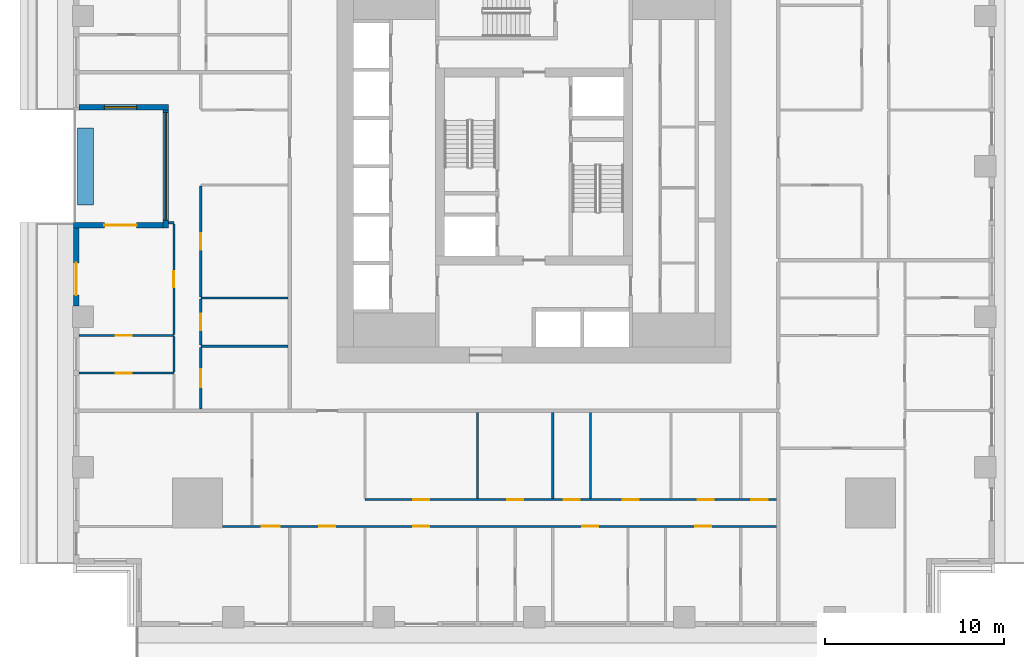
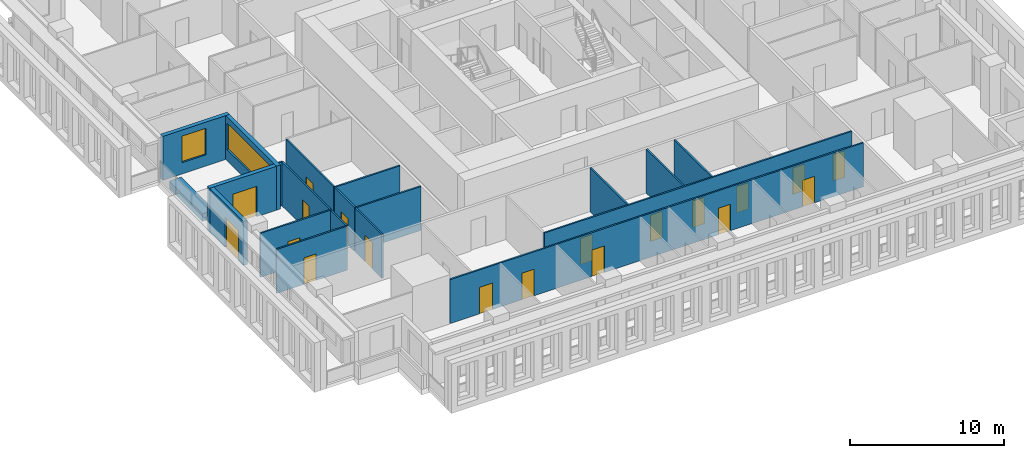
# One storey, part 3 of 16: 20 walls, 19 doors, 2 windows, 21 openings.
"""IFC4 building model written with IfcOpenShell, lengths in metres."""

import ifcopenshell
import ifcopenshell.guid

model = None  # the IFC model being written
_history = None  # IfcOwnerHistory: only IFC2X3 demands one
_inside = {}  # id of a spatial element -> (the spatial element, [elements in it])
_under = {}  # id of a project, library or spatial element -> (it, [spatial elements below it])
_declared = {}  # id of a project -> (the project, [libraries it declares])
_typed = {}  # id of a type object -> (the type object, [elements of that type])
_made_of = {}  # id of a material, layer set ... -> (it, [elements and type objects made of it])


def new_model(schema):
    """Start an empty IFC model of exactly this schema.

    Asked for "IFC4X3", IfcOpenShell would pick the latest addendum, in which some entities
    have other attributes; the version numbers below select the first issue.
    IFC2X3 requires an IfcOwnerHistory on every rooted entity: one is made here for all.
    """
    global model, _history
    if schema == "IFC4X3":
        model = ifcopenshell.file(schema_version=(4, 3, 0, 0))
    else:
        model = ifcopenshell.file(schema=schema)
    _inside.clear()
    _under.clear()
    _declared.clear()
    _typed.clear()
    _made_of.clear()
    _history = None
    if model.schema == "IFC2X3":
        org = make("IfcOrganization", Name="unknown")
        user = make(
            "IfcPersonAndOrganization",
            ThePerson=make("IfcPerson", FamilyName="unknown"),
            TheOrganization=org,
        )
        app = make(
            "IfcApplication",
            ApplicationDeveloper=org,
            Version="unknown",
            ApplicationFullName="unknown",
            ApplicationIdentifier="unknown",
        )
        _history = make(
            "IfcOwnerHistory",
            OwningUser=user,
            OwningApplication=app,
            ChangeAction="ADDED",
            CreationDate=0,
        )
    return model


def make(cls, **values):
    """One entity of the class cls with the attributes given. An attribute that is None is left unset."""
    return model.create_entity(
        cls, **{name: value for name, value in values.items() if value is not None}
    )


def rooted(cls, **values):
    """An entity with a GlobalId (a new one), such as an element, a storey or a relation."""
    return make(cls, GlobalId=ifcopenshell.guid.new(), OwnerHistory=_history, **values)


def si_unit(unit_type, name, prefix=None):
    """IfcSIUnit, for example si_unit("LENGTHUNIT", "METRE", prefix="MILLI")."""
    return make("IfcSIUnit", UnitType=unit_type, Prefix=prefix, Name=name)


def assignment(units):
    """IfcUnitAssignment: the units of a project."""
    return None if units is None else make("IfcUnitAssignment", Units=units)


def point(xyz):
    """IfcCartesianPoint."""
    return None if xyz is None else make("IfcCartesianPoint", Coordinates=xyz)


def direction(xyz):
    """IfcDirection."""
    return None if xyz is None else make("IfcDirection", DirectionRatios=xyz)


def frame(location, z_axis=None, x_axis=None):
    """IfcAxis2Placement3D, a coordinate frame: its origin and axes. An axis left out is left unset."""
    return make(
        "IfcAxis2Placement3D",
        Location=point(location),
        Axis=direction(z_axis),
        RefDirection=direction(x_axis),
    )


def frame_2d(location, x_axis=None):
    """IfcAxis2Placement2D, a coordinate frame in the plane: its origin and x axis."""
    return make(
        "IfcAxis2Placement2D", Location=point(location), RefDirection=direction(x_axis)
    )


def origin():
    """The frame at (0, 0, 0) with its axes left unset."""
    return frame((0.0, 0.0, 0.0))


def place(relative_to, where):
    """IfcLocalPlacement: puts the frame where relative to a parent placement (None: the world)."""
    return make(
        "IfcLocalPlacement", PlacementRelTo=relative_to, RelativePlacement=where
    )


def context(
    kind, dimensions, precision=None, world=None, true_north=None, identifier=None
):
    """IfcGeometricRepresentationContext, for example the 3D "Model" context."""
    return make(
        "IfcGeometricRepresentationContext",
        ContextIdentifier=identifier,
        ContextType=kind,
        CoordinateSpaceDimension=dimensions,
        Precision=precision,
        WorldCoordinateSystem=world,
        TrueNorth=true_north,
    )


def subcontext(parent, identifier, kind, view, scale=None):
    """IfcGeometricRepresentationSubContext, for example "Body" below "Model"."""
    return make(
        "IfcGeometricRepresentationSubContext",
        ContextIdentifier=identifier,
        ContextType=kind,
        ParentContext=parent,
        TargetScale=scale,
        TargetView=view,
    )


def project(units=None, contexts=None):
    """IfcProject with its units and contexts."""
    return rooted(
        "IfcProject",
        Name="project",
        RepresentationContexts=contexts,
        UnitsInContext=assignment(units),
    )


def spatial(cls, under=None, at=None, **own):
    """A site, building, storey or space (cls), placed at a placement, below another one or the project."""
    s = rooted(cls, ObjectPlacement=at, **own)
    if under is not None:
        _under.setdefault(under.id(), (under, []))[1].append(s)
    return s


def profile(cls, at=None, kind="AREA", **sizes):
    """A parametric profile (cls). Its sizes go by their IFC names, for example OverallWidth=200.0."""
    return make(cls, ProfileType=kind, Position=at, **sizes)


def rectangle(**sizes):
    """IfcRectangleProfileDef."""
    return profile("IfcRectangleProfileDef", **sizes)


def extrude(swept, where, along, depth):
    """IfcExtrudedAreaSolid: the profile swept, set in the frame where, extruded along a direction by depth."""
    return make(
        "IfcExtrudedAreaSolid",
        SweptArea=swept,
        Position=where,
        ExtrudedDirection=direction(along),
        Depth=depth,
    )


def shape(context_of_items, identifier, shape_type, items):
    """IfcShapeRepresentation: the items that make up one representation, for example the "Body"."""
    return make(
        "IfcShapeRepresentation",
        ContextOfItems=context_of_items,
        RepresentationIdentifier=identifier,
        RepresentationType=shape_type,
        Items=items,
    )


def material(Name=None, Category=None):
    """IfcMaterial."""
    return make("IfcMaterial", Name=Name, Category=Category)


def layer(
    of_material, thickness, ventilated=None, Name=None, Category=None, Priority=None
):
    """IfcMaterialLayer: one layer of a wall or slab, of a material (None: an air gap)."""
    return make(
        "IfcMaterialLayer",
        Material=of_material,
        LayerThickness=thickness,
        IsVentilated=ventilated,
        Name=Name,
        Category=Category,
        Priority=Priority,
    )


def layer_set(layers, Name=None):
    """IfcMaterialLayerSet."""
    return make("IfcMaterialLayerSet", MaterialLayers=layers, LayerSetName=Name)


def made_of(thing, what):
    """Note that an element or type object is made of a material, layer set ...; save() writes the relation."""
    if what is not None:
        _made_of.setdefault(what.id(), (what, []))[1].append(thing)
    return thing


def type_object(cls, material=None, **own):
    """A type object (cls), such as IfcWallType, which elements share."""
    return made_of(rooted(cls, **own), material)


def element(
    cls,
    number,
    at=None,
    inside=None,
    cuts=None,
    type_object=None,
    material=None,
    context=None,
    identifier="Body",
    shape_type=None,
    held_by="IfcProductDefinitionShape",
    body=None,
    shapes=None,
    **own,
):
    """One element of the class cls, such as IfcWall. Its Tag is "e" and its number.

    at: its placement. inside: the storey or other place that contains it. cuts: it is an
    opening in that element (IfcRelVoidsElement). A single representation is given by context,
    identifier, shape_type and body (its items); several are given by shapes. held_by: the class
    of the entity that holds the representations. save() writes the other relations.
    """
    e = rooted(cls, Tag="e%d" % number, ObjectPlacement=at, **own)
    if body is not None:
        shapes = [shape(context, identifier, shape_type, body)]
    if shapes is not None:
        e.Representation = make(held_by, Representations=shapes)
    if inside is not None:
        _inside.setdefault(inside.id(), (inside, []))[1].append(e)
    if cuts is not None:
        rooted(
            "IfcRelVoidsElement", RelatingBuildingElement=cuts, RelatedOpeningElement=e
        )
    if type_object is not None:
        _typed.setdefault(type_object.id(), (type_object, []))[1].append(e)
    return made_of(e, material)


def fill(opening, filler):
    """IfcRelFillsElement: the door or window that sits in an opening."""
    return rooted(
        "IfcRelFillsElement",
        RelatingOpeningElement=opening,
        RelatedBuildingElement=filler,
    )


def aggregate(whole, parts):
    """IfcRelAggregates: a whole, such as a stair, and the parts it consists of."""
    return rooted("IfcRelAggregates", RelatingObject=whole, RelatedObjects=parts)


def save(model, path):
    """Write the relations noted so far, then the file.

    IfcRelAggregates (storeys below a building ...), IfcRelContainedInSpatialStructure (elements
    in a storey), IfcRelDefinesByType, IfcRelAssociatesMaterial and IfcRelDeclares: one each for
    every whole, place, type object, material and project.
    """
    for whole, parts in _under.values():
        aggregate(whole, parts)
    for where, things in _inside.values():
        rooted(
            "IfcRelContainedInSpatialStructure",
            RelatedElements=things,
            RelatingStructure=where,
        )
    for kind, things in _typed.values():
        rooted("IfcRelDefinesByType", RelatedObjects=things, RelatingType=kind)
    for what, things in _made_of.values():
        rooted("IfcRelAssociatesMaterial", RelatedObjects=things, RelatingMaterial=what)
    for by, libraries in _declared.values():
        rooted("IfcRelDeclares", RelatingContext=by, RelatedDefinitions=libraries)
    model.write(path)


model = new_model("IFC4")

# Units and contexts
model_context = context("Model", 3, precision=1e-05, world=origin(), true_north=direction((0.0, 1.0)))
body_context = subcontext(model_context, "Body", "Model", "MODEL_VIEW")
ifc_project = project(units=[si_unit("LENGTHUNIT", "METRE"), si_unit("AREAUNIT", "SQUARE_METRE"), si_unit("VOLUMEUNIT", "CUBIC_METRE"), si_unit("PLANEANGLEUNIT", "RADIAN"), si_unit("MASSUNIT", "GRAM", prefix="KILO")], contexts=[model_context])

# Site, building, storey
site_placement = place(None, origin())
site = spatial("IfcSite", under=ifc_project, at=site_placement, CompositionType="ELEMENT")
building_placement = place(site_placement, origin())
building = spatial("IfcBuilding", under=site, at=building_placement, Name="Khepri Terraces", CompositionType="ELEMENT")
storey_placement = place(building_placement, frame((0.0, 0.0, 79.199951171875)))
storey = spatial("IfcBuildingStorey", under=building, at=storey_placement, Name="L18", CompositionType="ELEMENT", Elevation=79.199951171875)

# Wall, opening, window
ifc_material_1 = material(Name="Precast concrete C50/60 warm stone", Category="masonry")
ifc_layer_1 = layer(ifc_material_1, 0.300048828125, Name="Precast concrete C50/60 warm stone", Category="masonry")
ifc_layer_set_1 = layer_set([ifc_layer_1], Name="Precast concrete C50/60 warm stone")
wall_type_1 = type_object("IfcWallType", Name="WL-EXT-PRECAST-300", PredefinedType="STANDARD", material=ifc_layer_set_1)
wall_1_placement = place(storey_placement, frame((-25.419921875, 3.300048828125, 0.0), z_axis=(0.0, 0.0, 1.0), x_axis=(1.0, 0.0, 0.0)))
wall_1 = element("IfcWall", 1, at=wall_1_placement, inside=storey, type_object=wall_type_1, Name="External wall L18 S", PredefinedType="STANDARD", context=body_context, shape_type="SweptSolid", body=[
    extrude(rectangle(XDim=5.0, YDim=0.300048828125, at=frame_2d((2.5, 0.0))), origin(), (0.0, 0.0, 1.0), 3.47998046875),
])
opening_1_placement = place(wall_1_placement, frame((1.419921875, 0.0, 0.89990234375)))
opening_1 = element("IfcOpeningElement", 2, at=opening_1_placement, cuts=wall_1, Name="Opening W1", PredefinedType="OPENING", context=body_context, shape_type="SweptSolid", body=[
    extrude(rectangle(XDim=1.800048828125, YDim=2.10009765625, at=frame_2d((0.89990234375, 1.050048828125))), frame((0.0, 0.16015625, 0.0), z_axis=(0.0, -1.0, 0.0), x_axis=(1.0, 0.0, 0.0)), (0.0, 0.0, 1.0), 0.320068359375),
])
ifc_material_2 = material(Name="Clear glass", Category="glass")
window_type_1 = type_object("IfcWindowType", Name="WIN-RES-1800x2100", PartitioningType="SINGLE_PANEL", PredefinedType="WINDOW", material=ifc_material_2)
window_1_placement = place(opening_1_placement, origin())
window_1 = element("IfcWindow", 3, at=window_1_placement, inside=storey, type_object=window_type_1, Name="Window L18 S", OverallHeight=2.10009765625, OverallWidth=1.800048828125, PartitioningType="SINGLE_PANEL", PredefinedType="WINDOW", context=body_context, shape_type="SweptSolid", body=[
    extrude(rectangle(XDim=1.800048828125, YDim=2.10009765625, at=frame_2d((0.89990234375, 1.050048828125))), frame((0.0, 0.030029296875, 0.0), z_axis=(0.0, -1.0, 0.0), x_axis=(1.0, 0.0, 0.0)), (0.0, 0.0, 1.0), 0.06005859375),
])
fill(opening_1, window_1)

wall_2_placement = place(storey_placement, frame((-20.570068359375, 3.14990234375, 0.0), z_axis=(0.0, 0.0, 1.0), x_axis=(0.0, -1.0, 0.0)))
wall_2 = element("IfcWall", 4, at=wall_2_placement, inside=storey, type_object=wall_type_1, Name="External wall L18 W", PredefinedType="STANDARD", context=body_context, shape_type="SweptSolid", body=[
    extrude(rectangle(XDim=6.599853515625, YDim=0.300048828125, at=frame_2d((3.2998046875, 0.0))), origin(), (0.0, 0.0, 1.0), 3.47998046875),
])
opening_2_placement = place(wall_2_placement, frame((0.14990234375, 0.0, 0.89990234375)))
opening_2 = element("IfcOpeningElement", 5, at=opening_2_placement, cuts=wall_2, Name="Opening W3", PredefinedType="OPENING", context=body_context, shape_type="SweptSolid", body=[
    extrude(rectangle(XDim=6.0, YDim=2.10009765625, at=frame_2d((3.0, 1.050048828125))), frame((0.0, 0.16015625, 0.0), z_axis=(0.0, -1.0, 0.0), x_axis=(1.0, 0.0, 0.0)), (0.0, 0.0, 1.0), 0.320068359375),
])
window_type_2 = type_object("IfcWindowType", Name="WIN-RES-6000x2100", PartitioningType="SINGLE_PANEL", PredefinedType="WINDOW", material=ifc_material_2)
window_2_placement = place(opening_2_placement, origin())
window_2 = element("IfcWindow", 6, at=window_2_placement, inside=storey, type_object=window_type_2, Name="Window L18 W", OverallHeight=2.10009765625, OverallWidth=6.0, PartitioningType="SINGLE_PANEL", PredefinedType="WINDOW", context=body_context, shape_type="SweptSolid", body=[
    extrude(rectangle(XDim=6.0, YDim=2.10009765625, at=frame_2d((3.0, 1.050048828125))), frame((0.0, 0.030029296875, 0.0), z_axis=(0.0, -1.0, 0.0), x_axis=(1.0, 0.0, 0.0)), (0.0, 0.0, 1.0), 0.06005859375),
])
fill(opening_2, window_2)

# Wall, opening, door
wall_3_placement = place(storey_placement, frame((-20.719970703125, -3.300048828125, 0.0), z_axis=(0.0, 0.0, 1.0), x_axis=(-1.0, 0.0, 0.0)))
wall_3 = element("IfcWall", 7, at=wall_3_placement, inside=storey, type_object=wall_type_1, Name="External wall L18 N", PredefinedType="STANDARD", context=body_context, shape_type="SweptSolid", body=[
    extrude(rectangle(XDim=5.0, YDim=0.300048828125, at=frame_2d((2.5, 0.0))), origin(), (0.0, 0.0, 1.0), 3.47998046875),
])
opening_3_placement = place(wall_3_placement, frame((1.47998046875, 0.0, 0.0)))
opening_3 = element("IfcOpeningElement", 8, at=opening_3_placement, cuts=wall_3, Name="Opening ED-L18-17", PredefinedType="OPENING", context=body_context, shape_type="SweptSolid", body=[
    extrude(rectangle(XDim=1.800048828125, YDim=2.39990234375, at=frame_2d((0.89990234375, 1.199951171875))), frame((0.0, 0.16015625, 0.0), z_axis=(0.0, -1.0, 0.0), x_axis=(1.0, 0.0, 0.0)), (0.0, 0.0, 1.0), 0.320068359375),
])
ifc_material_3 = material(Name="Anodised aluminium bronze glazed door", Category="aluminium")
door_type_1 = type_object("IfcDoorType", Name="DR-BAL-SLIDE-1800x2400", OperationType="NOTDEFINED", PredefinedType="DOOR", material=ifc_material_3)
door_1_placement = place(opening_3_placement, origin())
door_1 = element("IfcDoor", 9, at=door_1_placement, inside=storey, type_object=door_type_1, Name="Balcony door L18 N", OperationType="SLIDING_TO_RIGHT", OverallHeight=2.39990234375, OverallWidth=1.800048828125, PredefinedType="DOOR", context=body_context, shape_type="SweptSolid", body=[
    extrude(rectangle(XDim=1.800048828125, YDim=2.39990234375, at=frame_2d((0.89990234375, 1.199951171875))), frame((0.0, 0.02490234375, 0.0), z_axis=(0.0, -1.0, 0.0), x_axis=(1.0, 0.0, 0.0)), (0.0, 0.0, 1.0), 0.050048828125),
])
fill(opening_3, door_1)

wall_4_placement = place(storey_placement, frame((-25.570068359375, -3.449951171875, 0.0), z_axis=(0.0, 0.0, 1.0), x_axis=(0.0, -1.0, 0.0)))
wall_4 = element("IfcWall", 10, at=wall_4_placement, inside=storey, type_object=wall_type_1, Name="External wall L18 W", PredefinedType="STANDARD", context=body_context, shape_type="SweptSolid", body=[
    extrude(rectangle(XDim=4.35009765625, YDim=0.300048828125, at=frame_2d((2.175048828125, 0.0))), origin(), (0.0, 0.0, 1.0), 3.47998046875),
])
opening_4_placement = place(wall_4_placement, frame((1.949951171875, 0.0, 0.0)))
opening_4 = element("IfcOpeningElement", 11, at=opening_4_placement, cuts=wall_4, Name="Opening ED-L18-18", PredefinedType="OPENING", context=body_context, shape_type="SweptSolid", body=[
    extrude(rectangle(XDim=1.800048828125, YDim=2.39990234375, at=frame_2d((0.89990234375, 1.199951171875))), frame((0.0, 0.16015625, 0.0), z_axis=(0.0, -1.0, 0.0), x_axis=(1.0, 0.0, 0.0)), (0.0, 0.0, 1.0), 0.320068359375),
])
door_2_placement = place(opening_4_placement, origin())
door_2 = element("IfcDoor", 12, at=door_2_placement, inside=storey, type_object=door_type_1, Name="Balcony door L18 W", OperationType="SLIDING_TO_RIGHT", OverallHeight=2.39990234375, OverallWidth=1.800048828125, PredefinedType="DOOR", context=body_context, shape_type="SweptSolid", body=[
    extrude(rectangle(XDim=1.800048828125, YDim=2.39990234375, at=frame_2d((0.89990234375, 1.199951171875))), frame((0.0, 0.02490234375, 0.0), z_axis=(0.0, -1.0, 0.0), x_axis=(1.0, 0.0, 0.0)), (0.0, 0.0, 1.0), 0.050048828125),
])
fill(opening_4, door_2)

# Wall, openings, doors
ifc_material_4 = material(Name="Gypsum plasterboard partition")
ifc_layer_2 = layer(ifc_material_4, 0.1201171875, Name="Gypsum plasterboard partition")
ifc_layer_set_2 = layer_set([ifc_layer_2], Name="Gypsum plasterboard partition")
wall_type_2 = type_object("IfcWallType", Name="WL-PART-120", PredefinedType="PARTITIONING", material=ifc_layer_set_2)
wall_5_placement = place(storey_placement, frame((-17.39990234375, -20.1201171875, 0.0), z_axis=(0.0, 0.0, 1.0), x_axis=(1.0, 0.0, 0.0)))
wall_5 = element("IfcWall", 13, at=wall_5_placement, inside=storey, type_object=wall_type_2, Name="Partition P-012 L18", PredefinedType="PARTITIONING", context=body_context, shape_type="SweptSolid", body=[
    extrude(rectangle(XDim=30.949951171875, YDim=0.1201171875, at=frame_2d((15.47509765625, 0.0))), origin(), (0.0, 0.0, 1.0), 3.47998046875),
])
opening_5_placement = place(wall_5_placement, frame((2.199951171875, 0.0, 0.0)))
opening_5 = element("IfcOpeningElement", 14, at=opening_5_placement, cuts=wall_5, Name="Opening D2", PredefinedType="OPENING", context=body_context, shape_type="SweptSolid", body=[
    extrude(rectangle(XDim=1.0, YDim=2.10009765625, at=frame_2d((0.5, 1.050048828125))), frame((0.0, 0.070068359375, 0.0), z_axis=(0.0, -1.0, 0.0), x_axis=(1.0, 0.0, 0.0)), (0.0, 0.0, 1.0), 0.14013671875),
])
opening_6_placement = place(wall_5_placement, frame((5.39990234375, 0.0, 0.0)))
opening_6 = element("IfcOpeningElement", 15, at=opening_6_placement, cuts=wall_5, Name="Opening D3", PredefinedType="OPENING", context=body_context, shape_type="SweptSolid", body=[
    extrude(rectangle(XDim=0.89990234375, YDim=2.10009765625, at=frame_2d((0.449951171875, 1.050048828125))), frame((0.0, 0.070068359375, 0.0), z_axis=(0.0, -1.0, 0.0), x_axis=(1.0, 0.0, 0.0)), (0.0, 0.0, 1.0), 0.14013671875),
])
opening_7_placement = place(wall_5_placement, frame((10.64990234375, 0.0, 0.0)))
opening_7 = element("IfcOpeningElement", 16, at=opening_7_placement, cuts=wall_5, Name="Opening D3", PredefinedType="OPENING", context=body_context, shape_type="SweptSolid", body=[
    extrude(rectangle(XDim=0.89990234375, YDim=2.10009765625, at=frame_2d((0.449951171875, 1.050048828125))), frame((0.0, 0.070068359375, 0.0), z_axis=(0.0, -1.0, 0.0), x_axis=(1.0, 0.0, 0.0)), (0.0, 0.0, 1.0), 0.14013671875),
])
opening_8_placement = place(wall_5_placement, frame((20.10009765625, 0.0, 0.0)))
opening_8 = element("IfcOpeningElement", 17, at=opening_8_placement, cuts=wall_5, Name="Opening D3", PredefinedType="OPENING", context=body_context, shape_type="SweptSolid", body=[
    extrude(rectangle(XDim=0.89990234375, YDim=2.10009765625, at=frame_2d((0.449951171875, 1.050048828125))), frame((0.0, 0.070068359375, 0.0), z_axis=(0.0, -1.0, 0.0), x_axis=(1.0, 0.0, 0.0)), (0.0, 0.0, 1.0), 0.14013671875),
])
opening_9_placement = place(wall_5_placement, frame((26.39990234375, 0.0, 0.0)))
opening_9 = element("IfcOpeningElement", 18, at=opening_9_placement, cuts=wall_5, Name="Opening D3", PredefinedType="OPENING", context=body_context, shape_type="SweptSolid", body=[
    extrude(rectangle(XDim=0.89990234375, YDim=2.10009765625, at=frame_2d((0.449951171875, 1.050048828125))), frame((0.0, 0.070068359375, 0.0), z_axis=(0.0, -1.0, 0.0), x_axis=(1.0, 0.0, 0.0)), (0.0, 0.0, 1.0), 0.14013671875),
])
ifc_material_5 = material(Name="Timber door leaf, living room door", Category="wood")
door_type_2 = type_object("IfcDoorType", Name="DR-INT-1000", OperationType="NOTDEFINED", PredefinedType="DOOR", material=ifc_material_5)
door_3_placement = place(opening_5_placement, frame((1.0, 0.0, 0.0), z_axis=(0.0, 0.0, 1.0), x_axis=(-1.0, 0.0, 0.0)))
door_3 = element("IfcDoor", 19, at=door_3_placement, inside=storey, type_object=door_type_2, Name="Door Living Room", OperationType="SINGLE_SWING_RIGHT", OverallHeight=2.10009765625, OverallWidth=1.0, PredefinedType="DOOR", context=body_context, shape_type="SweptSolid", body=[
    extrude(rectangle(XDim=1.0, YDim=2.10009765625, at=frame_2d((0.5, 1.050048828125))), frame((0.0, 0.02490234375, 0.0), z_axis=(0.0, -1.0, 0.0), x_axis=(1.0, 0.0, 0.0)), (0.0, 0.0, 1.0), 0.050048828125),
])
fill(opening_5, door_3)
ifc_material_6 = material(Name="Timber door leaf", Category="wood")
door_type_3 = type_object("IfcDoorType", Name="DR-INT-900", OperationType="NOTDEFINED", PredefinedType="DOOR", material=ifc_material_6)
door_4_placement = place(opening_6_placement, frame((0.89990234375, 0.0, 0.0), z_axis=(0.0, 0.0, 1.0), x_axis=(-1.0, 0.0, 0.0)))
door_4 = element("IfcDoor", 20, at=door_4_placement, inside=storey, type_object=door_type_3, Name="Door Study", OperationType="SINGLE_SWING_RIGHT", OverallHeight=2.10009765625, OverallWidth=0.89990234375, PredefinedType="DOOR", context=body_context, shape_type="SweptSolid", body=[
    extrude(rectangle(XDim=0.89990234375, YDim=2.10009765625, at=frame_2d((0.449951171875, 1.050048828125))), frame((0.0, 0.02490234375, 0.0), z_axis=(0.0, -1.0, 0.0), x_axis=(1.0, 0.0, 0.0)), (0.0, 0.0, 1.0), 0.050048828125),
])
fill(opening_6, door_4)
door_5_placement = place(opening_7_placement, frame((0.89990234375, 0.0, 0.0), z_axis=(0.0, 0.0, 1.0), x_axis=(-1.0, 0.0, 0.0)))
door_5 = element("IfcDoor", 21, at=door_5_placement, inside=storey, type_object=door_type_3, Name="Door Master Bedroom", OperationType="SINGLE_SWING_RIGHT", OverallHeight=2.10009765625, OverallWidth=0.89990234375, PredefinedType="DOOR", context=body_context, shape_type="SweptSolid", body=[
    extrude(rectangle(XDim=0.89990234375, YDim=2.10009765625, at=frame_2d((0.449951171875, 1.050048828125))), frame((0.0, 0.02490234375, 0.0), z_axis=(0.0, -1.0, 0.0), x_axis=(1.0, 0.0, 0.0)), (0.0, 0.0, 1.0), 0.050048828125),
])
fill(opening_7, door_5)
door_6_placement = place(opening_8_placement, frame((0.89990234375, 0.0, 0.0), z_axis=(0.0, 0.0, 1.0), x_axis=(-1.0, 0.0, 0.0)))
door_6 = element("IfcDoor", 22, at=door_6_placement, inside=storey, type_object=door_type_3, Name="Door Bedroom", OperationType="SINGLE_SWING_LEFT", OverallHeight=2.10009765625, OverallWidth=0.89990234375, PredefinedType="DOOR", context=body_context, shape_type="SweptSolid", body=[
    extrude(rectangle(XDim=0.89990234375, YDim=2.10009765625, at=frame_2d((0.449951171875, 1.050048828125))), frame((0.0, 0.02490234375, 0.0), z_axis=(0.0, -1.0, 0.0), x_axis=(1.0, 0.0, 0.0)), (0.0, 0.0, 1.0), 0.050048828125),
])
fill(opening_8, door_6)
door_7_placement = place(opening_9_placement, frame((0.89990234375, 0.0, 0.0), z_axis=(0.0, 0.0, 1.0), x_axis=(-1.0, 0.0, 0.0)))
door_7 = element("IfcDoor", 23, at=door_7_placement, inside=storey, type_object=door_type_3, Name="Door Bedroom", OperationType="SINGLE_SWING_LEFT", OverallHeight=2.10009765625, OverallWidth=0.89990234375, PredefinedType="DOOR", context=body_context, shape_type="SweptSolid", body=[
    extrude(rectangle(XDim=0.89990234375, YDim=2.10009765625, at=frame_2d((0.449951171875, 1.050048828125))), frame((0.0, 0.02490234375, 0.0), z_axis=(0.0, -1.0, 0.0), x_axis=(1.0, 0.0, 0.0)), (0.0, 0.0, 1.0), 0.050048828125),
])
fill(opening_9, door_7)

wall_6_placement = place(storey_placement, frame((-9.449951171875, -18.6201171875, 0.0), z_axis=(0.0, 0.0, 1.0), x_axis=(1.0, 0.0, 0.0)))
wall_6 = element("IfcWall", 24, at=wall_6_placement, inside=storey, type_object=wall_type_2, Name="Partition P-014 L18", PredefinedType="PARTITIONING", context=body_context, shape_type="SweptSolid", body=[
    extrude(rectangle(XDim=23.0, YDim=0.1201171875, at=frame_2d((11.5, 0.0))), origin(), (0.0, 0.0, 1.0), 3.47998046875),
])
opening_10_placement = place(wall_6_placement, frame((2.699951171875, 0.0, 0.0)))
opening_10 = element("IfcOpeningElement", 25, at=opening_10_placement, cuts=wall_6, Name="Opening D3", PredefinedType="OPENING", context=body_context, shape_type="SweptSolid", body=[
    extrude(rectangle(XDim=0.89990234375, YDim=2.10009765625, at=frame_2d((0.449951171875, 1.050048828125))), frame((0.0, 0.070068359375, 0.0), z_axis=(0.0, -1.0, 0.0), x_axis=(1.0, 0.0, 0.0)), (0.0, 0.0, 1.0), 0.14013671875),
])
opening_11_placement = place(wall_6_placement, frame((7.949951171875, 0.0, 0.0)))
opening_11 = element("IfcOpeningElement", 26, at=opening_11_placement, cuts=wall_6, Name="Opening D3", PredefinedType="OPENING", context=body_context, shape_type="SweptSolid", body=[
    extrude(rectangle(XDim=0.89990234375, YDim=2.10009765625, at=frame_2d((0.449951171875, 1.050048828125))), frame((0.0, 0.070068359375, 0.0), z_axis=(0.0, -1.0, 0.0), x_axis=(1.0, 0.0, 0.0)), (0.0, 0.0, 1.0), 0.14013671875),
])
opening_12_placement = place(wall_6_placement, frame((11.10009765625, 0.0, 0.0)))
opening_12 = element("IfcOpeningElement", 27, at=opening_12_placement, cuts=wall_6, Name="Opening D4", PredefinedType="OPENING", context=body_context, shape_type="SweptSolid", body=[
    extrude(rectangle(XDim=0.89990234375, YDim=2.10009765625, at=frame_2d((0.449951171875, 1.050048828125))), frame((0.0, 0.070068359375, 0.0), z_axis=(0.0, -1.0, 0.0), x_axis=(1.0, 0.0, 0.0)), (0.0, 0.0, 1.0), 0.14013671875),
])
opening_13_placement = place(wall_6_placement, frame((14.39990234375, 0.0, 0.0)))
opening_13 = element("IfcOpeningElement", 28, at=opening_13_placement, cuts=wall_6, Name="Opening D3", PredefinedType="OPENING", context=body_context, shape_type="SweptSolid", body=[
    extrude(rectangle(XDim=0.89990234375, YDim=2.10009765625, at=frame_2d((0.449951171875, 1.050048828125))), frame((0.0, 0.070068359375, 0.0), z_axis=(0.0, -1.0, 0.0), x_axis=(1.0, 0.0, 0.0)), (0.0, 0.0, 1.0), 0.14013671875),
])
opening_14_placement = place(wall_6_placement, frame((18.60009765625, 0.0, 0.0)))
opening_14 = element("IfcOpeningElement", 29, at=opening_14_placement, cuts=wall_6, Name="Opening D4", PredefinedType="OPENING", context=body_context, shape_type="SweptSolid", body=[
    extrude(rectangle(XDim=0.89990234375, YDim=2.10009765625, at=frame_2d((0.449951171875, 1.050048828125))), frame((0.0, 0.070068359375, 0.0), z_axis=(0.0, -1.0, 0.0), x_axis=(1.0, 0.0, 0.0)), (0.0, 0.0, 1.0), 0.14013671875),
])
opening_15_placement = place(wall_6_placement, frame((21.60009765625, 0.0, 0.0)))
opening_15 = element("IfcOpeningElement", 30, at=opening_15_placement, cuts=wall_6, Name="Opening D3", PredefinedType="OPENING", context=body_context, shape_type="SweptSolid", body=[
    extrude(rectangle(XDim=0.89990234375, YDim=2.10009765625, at=frame_2d((0.449951171875, 1.050048828125))), frame((0.0, 0.070068359375, 0.0), z_axis=(0.0, -1.0, 0.0), x_axis=(1.0, 0.0, 0.0)), (0.0, 0.0, 1.0), 0.14013671875),
])
door_8_placement = place(opening_10_placement, origin())
door_8 = element("IfcDoor", 31, at=door_8_placement, inside=storey, type_object=door_type_3, Name="Door Kitchen", OperationType="SINGLE_SWING_LEFT", OverallHeight=2.10009765625, OverallWidth=0.89990234375, PredefinedType="DOOR", context=body_context, shape_type="SweptSolid", body=[
    extrude(rectangle(XDim=0.89990234375, YDim=2.10009765625, at=frame_2d((0.449951171875, 1.050048828125))), frame((0.0, 0.02490234375, 0.0), z_axis=(0.0, -1.0, 0.0), x_axis=(1.0, 0.0, 0.0)), (0.0, 0.0, 1.0), 0.050048828125),
])
fill(opening_10, door_8)
door_9_placement = place(opening_11_placement, origin())
door_9 = element("IfcDoor", 32, at=door_9_placement, inside=storey, type_object=door_type_3, Name="Door Service Store", OperationType="SINGLE_SWING_LEFT", OverallHeight=2.10009765625, OverallWidth=0.89990234375, PredefinedType="DOOR", context=body_context, shape_type="SweptSolid", body=[
    extrude(rectangle(XDim=0.89990234375, YDim=2.10009765625, at=frame_2d((0.449951171875, 1.050048828125))), frame((0.0, 0.02490234375, 0.0), z_axis=(0.0, -1.0, 0.0), x_axis=(1.0, 0.0, 0.0)), (0.0, 0.0, 1.0), 0.050048828125),
])
fill(opening_11, door_9)
door_10_placement = place(opening_13_placement, origin())
door_10 = element("IfcDoor", 33, at=door_10_placement, inside=storey, type_object=door_type_3, Name="Door Utility Room", OperationType="SINGLE_SWING_RIGHT", OverallHeight=2.10009765625, OverallWidth=0.89990234375, PredefinedType="DOOR", context=body_context, shape_type="SweptSolid", body=[
    extrude(rectangle(XDim=0.89990234375, YDim=2.10009765625, at=frame_2d((0.449951171875, 1.050048828125))), frame((0.0, 0.02490234375, 0.0), z_axis=(0.0, -1.0, 0.0), x_axis=(1.0, 0.0, 0.0)), (0.0, 0.0, 1.0), 0.050048828125),
])
fill(opening_13, door_10)
door_11_placement = place(opening_15_placement, origin())
door_11 = element("IfcDoor", 34, at=door_11_placement, inside=storey, type_object=door_type_3, Name="Door Utility Room", OperationType="SINGLE_SWING_RIGHT", OverallHeight=2.10009765625, OverallWidth=0.89990234375, PredefinedType="DOOR", context=body_context, shape_type="SweptSolid", body=[
    extrude(rectangle(XDim=0.89990234375, YDim=2.10009765625, at=frame_2d((0.449951171875, 1.050048828125))), frame((0.0, 0.02490234375, 0.0), z_axis=(0.0, -1.0, 0.0), x_axis=(1.0, 0.0, 0.0)), (0.0, 0.0, 1.0), 0.050048828125),
])
fill(opening_15, door_11)
ifc_material_7 = material(Name="Timber door leaf, moisture resistant", Category="wood")
door_type_4 = type_object("IfcDoorType", Name="DR-WET-900", OperationType="NOTDEFINED", PredefinedType="DOOR", material=ifc_material_7)
door_12_placement = place(opening_12_placement, origin())
door_12 = element("IfcDoor", 35, at=door_12_placement, inside=storey, type_object=door_type_4, Name="Door Powder Room", OperationType="SINGLE_SWING_RIGHT", OverallHeight=2.10009765625, OverallWidth=0.89990234375, PredefinedType="DOOR", context=body_context, shape_type="SweptSolid", body=[
    extrude(rectangle(XDim=0.89990234375, YDim=2.10009765625, at=frame_2d((0.449951171875, 1.050048828125))), frame((0.0, 0.02490234375, 0.0), z_axis=(0.0, -1.0, 0.0), x_axis=(1.0, 0.0, 0.0)), (0.0, 0.0, 1.0), 0.050048828125),
])
fill(opening_12, door_12)
door_13_placement = place(opening_14_placement, origin())
door_13 = element("IfcDoor", 36, at=door_13_placement, inside=storey, type_object=door_type_4, Name="Door Guest Bathroom", OperationType="SINGLE_SWING_RIGHT", OverallHeight=2.10009765625, OverallWidth=0.89990234375, PredefinedType="DOOR", context=body_context, shape_type="SweptSolid", body=[
    extrude(rectangle(XDim=0.89990234375, YDim=2.10009765625, at=frame_2d((0.449951171875, 1.050048828125))), frame((0.0, 0.02490234375, 0.0), z_axis=(0.0, -1.0, 0.0), x_axis=(1.0, 0.0, 0.0)), (0.0, 0.0, 1.0), 0.050048828125),
])
fill(opening_14, door_13)

# Walls
for number, where, z_axis, x_axis, name in (
    (37, (-3.14990234375, -18.56005859375, 0.0), (0.0, 0.0, 1.0), (0.0, 1.0, 0.0), "Partition P-016 L18"),
    (38, (1.050048828125, -18.56005859375, 0.0), (0.0, 0.0, 1.0), (0.0, 1.0, 0.0), "Partition P-017 L18"),
    (39, (3.14990234375, -18.56005859375, 0.0), (0.0, 0.0, 1.0), (0.0, 1.0, 0.0), "Partition P-018 L18"),
):
    element("IfcWall", number, at=place(storey_placement, frame(where, z_axis=z_axis, x_axis=x_axis)), inside=storey, type_object=wall_type_2, Name=name, PredefinedType="PARTITIONING", context=body_context, shape_type="SweptSolid", body=[
        extrude(rectangle(XDim=4.81005859375, YDim=0.1201171875, at=frame_2d((2.405029296875, 0.0))), origin(), (0.0, 0.0, 1.0), 3.47998046875),
    ])

# Wall, opening, door
wall_7_placement = place(storey_placement, frame((-18.6201171875, -13.550048828125, 0.0), z_axis=(0.0, 0.0, 1.0), x_axis=(0.0, 1.0, 0.0)))
wall_7 = element("IfcWall", 40, at=wall_7_placement, inside=storey, type_object=wall_type_2, Name="Partition P-027 L18", PredefinedType="PARTITIONING", context=body_context, shape_type="SweptSolid", body=[
    extrude(rectangle(XDim=3.43994140625, YDim=0.1201171875, at=frame_2d((1.719970703125, 0.0))), origin(), (0.0, 0.0, 1.0), 3.47998046875),
])
opening_16_placement = place(wall_7_placement, frame((1.199951171875, 0.0, 0.0)))
opening_16 = element("IfcOpeningElement", 41, at=opening_16_placement, cuts=wall_7, Name="Opening D2", PredefinedType="OPENING", context=body_context, shape_type="SweptSolid", body=[
    extrude(rectangle(XDim=1.0, YDim=2.10009765625, at=frame_2d((0.5, 1.050048828125))), frame((0.0, 0.070068359375, 0.0), z_axis=(0.0, -1.0, 0.0), x_axis=(1.0, 0.0, 0.0)), (0.0, 0.0, 1.0), 0.14013671875),
])
door_14_placement = place(opening_16_placement, frame((1.0, 0.0, 0.0), z_axis=(0.0, 0.0, 1.0), x_axis=(-1.0, 0.0, 0.0)))
door_14 = element("IfcDoor", 42, at=door_14_placement, inside=storey, type_object=door_type_2, Name="Door Family Room", OperationType="SINGLE_SWING_RIGHT", OverallHeight=2.10009765625, OverallWidth=1.0, PredefinedType="DOOR", context=body_context, shape_type="SweptSolid", body=[
    extrude(rectangle(XDim=1.0, YDim=2.10009765625, at=frame_2d((0.5, 1.050048828125))), frame((0.0, 0.02490234375, 0.0), z_axis=(0.0, -1.0, 0.0), x_axis=(1.0, 0.0, 0.0)), (0.0, 0.0, 1.0), 0.050048828125),
])
fill(opening_16, door_14)

wall_8_placement = place(storey_placement, frame((-25.419921875, -11.550048828125, 0.0), z_axis=(0.0, 0.0, 1.0), x_axis=(1.0, 0.0, 0.0)))
wall_8 = element("IfcWall", 43, at=wall_8_placement, inside=storey, type_object=wall_type_2, Name="Partition P-030 L18", PredefinedType="PARTITIONING", context=body_context, shape_type="SweptSolid", body=[
    extrude(rectangle(XDim=5.2998046875, YDim=0.1201171875, at=frame_2d((2.64990234375, 0.0))), origin(), (0.0, 0.0, 1.0), 3.47998046875),
])
opening_17_placement = place(wall_8_placement, frame((2.050048828125, 0.0, 0.0)))
opening_17 = element("IfcOpeningElement", 44, at=opening_17_placement, cuts=wall_8, Name="Opening D4", PredefinedType="OPENING", context=body_context, shape_type="SweptSolid", body=[
    extrude(rectangle(XDim=0.89990234375, YDim=2.10009765625, at=frame_2d((0.449951171875, 1.050048828125))), frame((0.0, 0.070068359375, 0.0), z_axis=(0.0, -1.0, 0.0), x_axis=(1.0, 0.0, 0.0)), (0.0, 0.0, 1.0), 0.14013671875),
])
door_15_placement = place(opening_17_placement, frame((0.89990234375, 0.0, 0.0), z_axis=(0.0, 0.0, 1.0), x_axis=(-1.0, 0.0, 0.0)))
door_15 = element("IfcDoor", 45, at=door_15_placement, inside=storey, type_object=door_type_4, Name="Door Bathroom", OperationType="SINGLE_SWING_RIGHT", OverallHeight=2.10009765625, OverallWidth=0.89990234375, PredefinedType="DOOR", context=body_context, shape_type="SweptSolid", body=[
    extrude(rectangle(XDim=0.89990234375, YDim=2.10009765625, at=frame_2d((0.449951171875, 1.050048828125))), frame((0.0, 0.02490234375, 0.0), z_axis=(0.0, -1.0, 0.0), x_axis=(1.0, 0.0, 0.0)), (0.0, 0.0, 1.0), 0.050048828125),
])
fill(opening_17, door_15)

# Walls
wall_9_placement = place(storey_placement, frame((-20.1201171875, -11.489990234375, 0.0), z_axis=(0.0, 0.0, 1.0), x_axis=(0.0, 1.0, 0.0)))
element("IfcWall", 46, at=wall_9_placement, inside=storey, type_object=wall_type_2, Name="Partition P-031 L18", PredefinedType="PARTITIONING", context=body_context, shape_type="SweptSolid", body=[
    extrude(rectangle(XDim=1.97998046875, YDim=0.1201171875, at=frame_2d((0.989990234375, 0.0))), origin(), (0.0, 0.0, 1.0), 3.47998046875),
])
wall_10_placement = place(storey_placement, frame((-18.6201171875, -10.050048828125, 0.0), z_axis=(0.0, 0.0, 1.0), x_axis=(1.0, 0.0, 0.0)))
element("IfcWall", 47, at=wall_10_placement, inside=storey, type_object=wall_type_2, Name="Partition P-032 L18", PredefinedType="PARTITIONING", context=body_context, shape_type="SweptSolid", body=[
    extrude(rectangle(XDim=4.8701171875, YDim=0.1201171875, at=frame_2d((2.43505859375, 0.0))), origin(), (0.0, 0.0, 1.0), 3.47998046875),
])

# Wall, opening, door
wall_11_placement = place(storey_placement, frame((-18.6201171875, -9.989990234375, 0.0), z_axis=(0.0, 0.0, 1.0), x_axis=(0.0, 1.0, 0.0)))
wall_11 = element("IfcWall", 48, at=wall_11_placement, inside=storey, type_object=wall_type_2, Name="Partition P-033 L18", PredefinedType="PARTITIONING", context=body_context, shape_type="SweptSolid", body=[
    extrude(rectangle(XDim=2.580078125, YDim=0.1201171875, at=frame_2d((1.2900390625, 0.0))), origin(), (0.0, 0.0, 1.0), 3.47998046875),
])
opening_18_placement = place(wall_11_placement, frame((0.840087890625, 0.0, 0.0)))
opening_18 = element("IfcOpeningElement", 49, at=opening_18_placement, cuts=wall_11, Name="Opening D4", PredefinedType="OPENING", context=body_context, shape_type="SweptSolid", body=[
    extrude(rectangle(XDim=0.89990234375, YDim=2.10009765625, at=frame_2d((0.449951171875, 1.050048828125))), frame((0.0, 0.070068359375, 0.0), z_axis=(0.0, -1.0, 0.0), x_axis=(1.0, 0.0, 0.0)), (0.0, 0.0, 1.0), 0.14013671875),
])
door_16_placement = place(opening_18_placement, frame((0.89990234375, 0.0, 0.0), z_axis=(0.0, 0.0, 1.0), x_axis=(-1.0, 0.0, 0.0)))
door_16 = element("IfcDoor", 50, at=door_16_placement, inside=storey, type_object=door_type_4, Name="Door Powder Room", OperationType="SINGLE_SWING_LEFT", OverallHeight=2.10009765625, OverallWidth=0.89990234375, PredefinedType="DOOR", context=body_context, shape_type="SweptSolid", body=[
    extrude(rectangle(XDim=0.89990234375, YDim=2.10009765625, at=frame_2d((0.449951171875, 1.050048828125))), frame((0.0, 0.02490234375, 0.0), z_axis=(0.0, -1.0, 0.0), x_axis=(1.0, 0.0, 0.0)), (0.0, 0.0, 1.0), 0.050048828125),
])
fill(opening_18, door_16)

wall_12_placement = place(storey_placement, frame((-25.419921875, -9.449951171875, 0.0), z_axis=(0.0, 0.0, 1.0), x_axis=(1.0, 0.0, 0.0)))
wall_12 = element("IfcWall", 51, at=wall_12_placement, inside=storey, type_object=wall_type_2, Name="Partition P-034 L18", PredefinedType="PARTITIONING", context=body_context, shape_type="SweptSolid", body=[
    extrude(rectangle(XDim=5.2998046875, YDim=0.1201171875, at=frame_2d((2.64990234375, 0.0))), origin(), (0.0, 0.0, 1.0), 3.47998046875),
])
opening_19_placement = place(wall_12_placement, frame((2.050048828125, 0.0, 0.0)))
opening_19 = element("IfcOpeningElement", 52, at=opening_19_placement, cuts=wall_12, Name="Opening D3", PredefinedType="OPENING", context=body_context, shape_type="SweptSolid", body=[
    extrude(rectangle(XDim=0.89990234375, YDim=2.10009765625, at=frame_2d((0.449951171875, 1.050048828125))), frame((0.0, 0.070068359375, 0.0), z_axis=(0.0, -1.0, 0.0), x_axis=(1.0, 0.0, 0.0)), (0.0, 0.0, 1.0), 0.14013671875),
])
door_17_placement = place(opening_19_placement, frame((0.89990234375, 0.0, 0.0), z_axis=(0.0, 0.0, 1.0), x_axis=(-1.0, 0.0, 0.0)))
door_17 = element("IfcDoor", 53, at=door_17_placement, inside=storey, type_object=door_type_3, Name="Door Dressing Room", OperationType="SINGLE_SWING_RIGHT", OverallHeight=2.10009765625, OverallWidth=0.89990234375, PredefinedType="DOOR", context=body_context, shape_type="SweptSolid", body=[
    extrude(rectangle(XDim=0.89990234375, YDim=2.10009765625, at=frame_2d((0.449951171875, 1.050048828125))), frame((0.0, 0.02490234375, 0.0), z_axis=(0.0, -1.0, 0.0), x_axis=(1.0, 0.0, 0.0)), (0.0, 0.0, 1.0), 0.050048828125),
])
fill(opening_19, door_17)

wall_13_placement = place(storey_placement, frame((-20.1201171875, -9.389892578125, 0.0), z_axis=(0.0, 0.0, 1.0), x_axis=(0.0, 1.0, 0.0)))
wall_13 = element("IfcWall", 54, at=wall_13_placement, inside=storey, type_object=wall_type_2, Name="Partition P-037 L18", PredefinedType="PARTITIONING", context=body_context, shape_type="SweptSolid", body=[
    extrude(rectangle(XDim=6.179931640625, YDim=0.1201171875, at=frame_2d((3.08984375, 0.0))), origin(), (0.0, 0.0, 1.0), 3.47998046875),
])
opening_20_placement = place(wall_13_placement, frame((2.639892578125, 0.0, 0.0)))
opening_20 = element("IfcOpeningElement", 55, at=opening_20_placement, cuts=wall_13, Name="Opening D3", PredefinedType="OPENING", context=body_context, shape_type="SweptSolid", body=[
    extrude(rectangle(XDim=0.89990234375, YDim=2.10009765625, at=frame_2d((0.449951171875, 1.050048828125))), frame((0.0, 0.070068359375, 0.0), z_axis=(0.0, -1.0, 0.0), x_axis=(1.0, 0.0, 0.0)), (0.0, 0.0, 1.0), 0.14013671875),
])
door_18_placement = place(opening_20_placement, origin())
door_18 = element("IfcDoor", 56, at=door_18_placement, inside=storey, type_object=door_type_3, Name="Door Master Bedroom", OperationType="SINGLE_SWING_RIGHT", OverallHeight=2.10009765625, OverallWidth=0.89990234375, PredefinedType="DOOR", context=body_context, shape_type="SweptSolid", body=[
    extrude(rectangle(XDim=0.89990234375, YDim=2.10009765625, at=frame_2d((0.449951171875, 1.050048828125))), frame((0.0, 0.02490234375, 0.0), z_axis=(0.0, -1.0, 0.0), x_axis=(1.0, 0.0, 0.0)), (0.0, 0.0, 1.0), 0.050048828125),
])
fill(opening_20, door_18)

# Wall
wall_14_placement = place(storey_placement, frame((-18.6201171875, -7.35009765625, 0.0), z_axis=(0.0, 0.0, 1.0), x_axis=(1.0, 0.0, 0.0)))
element("IfcWall", 57, at=wall_14_placement, inside=storey, type_object=wall_type_2, Name="Partition P-040 L18", PredefinedType="PARTITIONING", context=body_context, shape_type="SweptSolid", body=[
    extrude(rectangle(XDim=4.8701171875, YDim=0.1201171875, at=frame_2d((2.43505859375, 0.0))), origin(), (0.0, 0.0, 1.0), 3.47998046875),
])

# Wall, opening, door
wall_15_placement = place(storey_placement, frame((-18.6201171875, -7.2900390625, 0.0), z_axis=(0.0, 0.0, 1.0), x_axis=(0.0, 1.0, 0.0)))
wall_15 = element("IfcWall", 58, at=wall_15_placement, inside=storey, type_object=wall_type_2, Name="Partition P-043 L18", PredefinedType="PARTITIONING", context=body_context, shape_type="SweptSolid", body=[
    extrude(rectangle(XDim=6.179931640625, YDim=0.1201171875, at=frame_2d((3.08984375, 0.0))), origin(), (0.0, 0.0, 1.0), 3.47998046875),
])
opening_21_placement = place(wall_15_placement, frame((2.639892578125, 0.0, 0.0)))
opening_21 = element("IfcOpeningElement", 59, at=opening_21_placement, cuts=wall_15, Name="Opening D3", PredefinedType="OPENING", context=body_context, shape_type="SweptSolid", body=[
    extrude(rectangle(XDim=0.89990234375, YDim=2.10009765625, at=frame_2d((0.449951171875, 1.050048828125))), frame((0.0, 0.070068359375, 0.0), z_axis=(0.0, -1.0, 0.0), x_axis=(1.0, 0.0, 0.0)), (0.0, 0.0, 1.0), 0.14013671875),
])
door_19_placement = place(opening_21_placement, frame((0.89990234375, 0.0, 0.0), z_axis=(0.0, 0.0, 1.0), x_axis=(-1.0, 0.0, 0.0)))
door_19 = element("IfcDoor", 60, at=door_19_placement, inside=storey, type_object=door_type_3, Name="Door Kitchen", OperationType="SINGLE_SWING_LEFT", OverallHeight=2.10009765625, OverallWidth=0.89990234375, PredefinedType="DOOR", context=body_context, shape_type="SweptSolid", body=[
    extrude(rectangle(XDim=0.89990234375, YDim=2.10009765625, at=frame_2d((0.449951171875, 1.050048828125))), frame((0.0, 0.02490234375, 0.0), z_axis=(0.0, -1.0, 0.0), x_axis=(1.0, 0.0, 0.0)), (0.0, 0.0, 1.0), 0.050048828125),
])
fill(opening_21, door_19)

# Walls
wall_16_placement = place(storey_placement, frame((-20.419921875, -3.14990234375, 0.0), z_axis=(0.0, 0.0, 1.0), x_axis=(1.0, 0.0, 0.0)))
element("IfcWall", 61, at=wall_16_placement, inside=storey, type_object=wall_type_2, Name="Partition P-050 L18", PredefinedType="PARTITIONING", context=body_context, shape_type="SweptSolid", body=[
    extrude(rectangle(XDim=0.2998046875, YDim=0.1201171875, at=frame_2d((0.14990234375, 0.0))), origin(), (0.0, 0.0, 1.0), 3.47998046875),
])
ifc_layer_3 = layer(ifc_material_1, 0.89990234375, Name="Precast concrete C50/60 warm stone", Category="masonry")
ifc_layer_set_3 = layer_set([ifc_layer_3], Name="Precast concrete C50/60 warm stone")
wall_type_3 = type_object("IfcWallType", Name="WL-PLANTER-900", PredefinedType="MOVABLE", material=ifc_layer_set_3)
wall_17_placement = place(storey_placement, frame((-25.070068359375, -2.14990234375, 0.0), z_axis=(0.0, 0.0, 1.0), x_axis=(0.0, 1.0, 0.0)))
element("IfcWall", 62, at=wall_17_placement, inside=storey, type_object=wall_type_3, Name="Planter L18", PredefinedType="MOVABLE", context=body_context, shape_type="SweptSolid", body=[
    extrude(rectangle(XDim=4.2998046875, YDim=0.89990234375, at=frame_2d((2.14990234375, 0.0))), origin(), (0.0, 0.0, 1.0), 0.60009765625),
])

save(model, "model.ifc")
